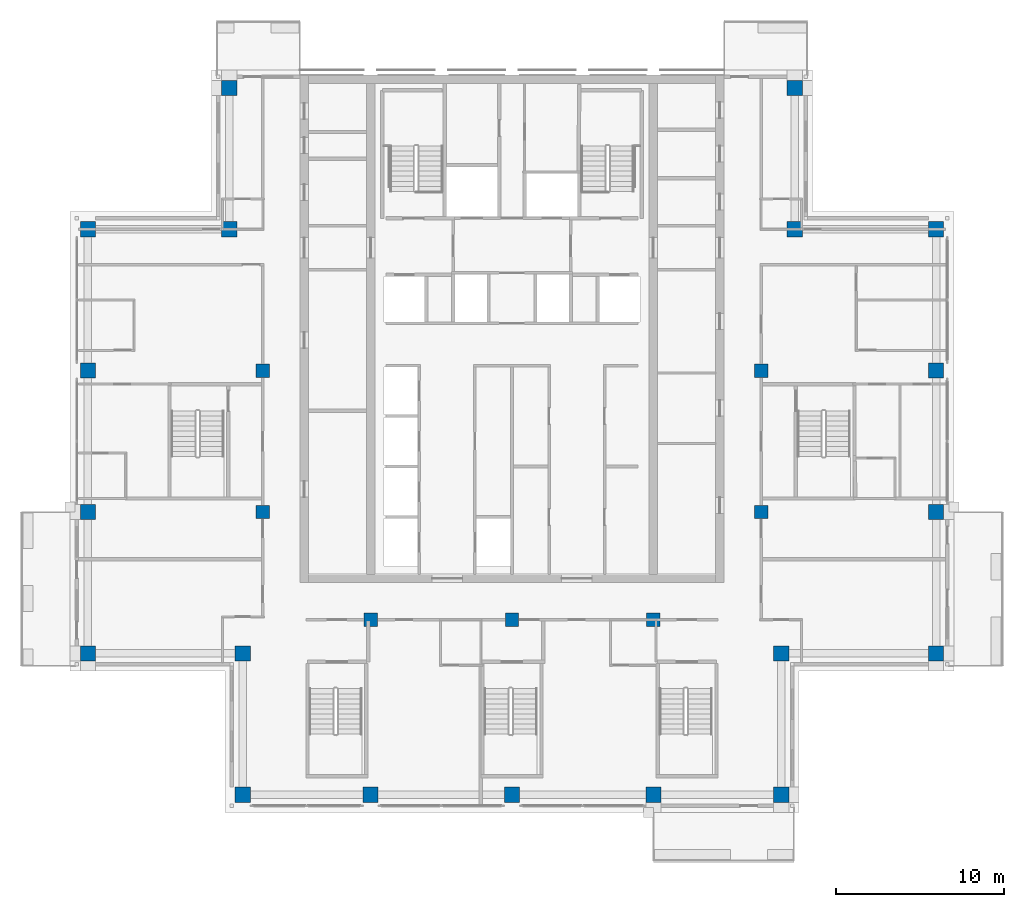
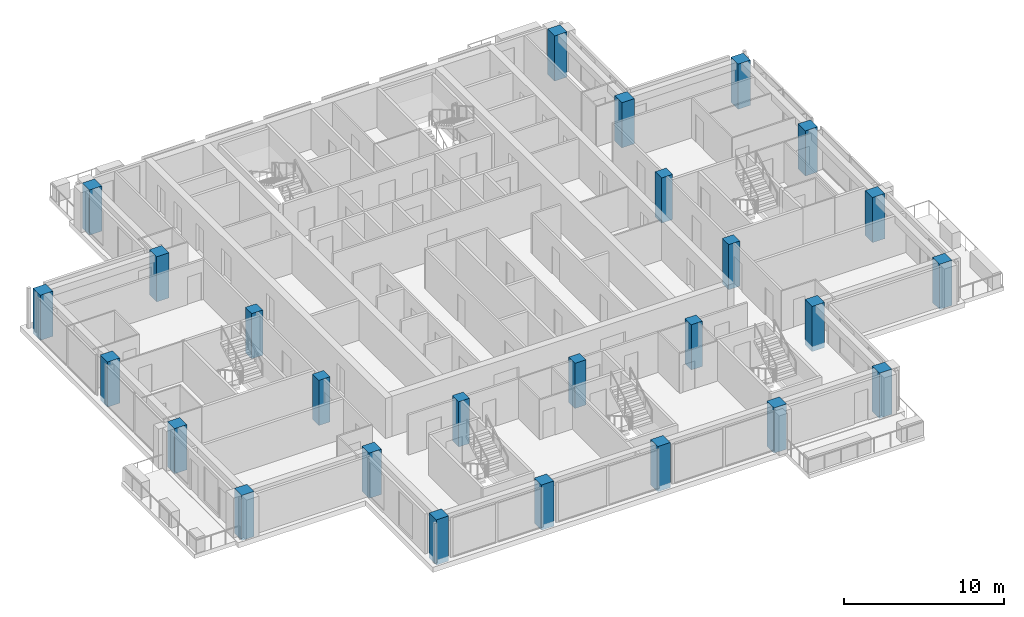
# One storey, part 1 of 19: 26 columns.
"""IFC4 building model written with IfcOpenShell, lengths in metres."""

from ifc_helpers import new_model, si_unit, direction, frame, origin, origin_2d, place, context, subcontext, project, spatial, rectangle, extrude, material, material_profile, profile_set, type_object, element, save


model = new_model("IFC4")

# Units and contexts
model_context = context("Model", 3, precision=1e-05, world=origin(), true_north=direction((0.0, 1.0)))
body_context = subcontext(model_context, "Body", "Model", "MODEL_VIEW")
ifc_project = project(units=[si_unit("LENGTHUNIT", "METRE"), si_unit("AREAUNIT", "SQUARE_METRE"), si_unit("VOLUMEUNIT", "CUBIC_METRE"), si_unit("PLANEANGLEUNIT", "RADIAN"), si_unit("MASSUNIT", "GRAM", prefix="KILO")], contexts=[model_context])

# Site, building, storey
site_placement = place(None, origin())
site = spatial("IfcSite", under=ifc_project, at=site_placement, CompositionType="ELEMENT")
building_placement = place(site_placement, origin())
building = spatial("IfcBuilding", under=site, at=building_placement, Name="Vermilion Ogive Tower", CompositionType="ELEMENT")
storey_placement = place(building_placement, frame((0.0, 0.0, 226.89990234375)))
storey = spatial("IfcBuildingStorey", under=building, at=storey_placement, Name="L59", CompositionType="ELEMENT", Elevation=226.89990234375)

# Columns
ifc_material_1 = material(Name="Concrete B60", Category="concrete")
ifc_material_profile_1 = material_profile(ifc_material_1, rectangle(XDim=0.89990234375, YDim=0.89990234375, at=origin_2d()), Name="900 x 900")
ifc_profile_set_1 = profile_set([ifc_material_profile_1], Name="Concrete B60")
column_type_1 = type_object("IfcColumnType", Name="Perimeter column 900 x 900 B60", PredefinedType="COLUMN", material=ifc_profile_set_1)
for number, where, z_axis, x_axis, name in (
    (1, (-16.0, -21.0, -0.39990234375), (0.0, 0.0, 1.0), (1.0, 0.0, 0.0), "COL-L59-P-0160-210"),
    (2, (-8.39990234375, -21.0, -0.39990234375), (0.0, 0.0, 1.0), (1.0, 0.0, 0.0), "COL-L59-P-0084-210"),
    (3, (0.0, -21.0, -0.39990234375), (0.0, 0.0, 1.0), (1.0, 0.0, 0.0), "COL-L59-P+0000-210"),
    (4, (8.39990234375, -21.0, -0.39990234375), (0.0, 0.0, 1.0), (1.0, 0.0, 0.0), "COL-L59-P+0084-210"),
    (5, (16.0, -21.0, -0.39990234375), (0.0, 0.0, 1.0), (1.0, 0.0, 0.0), "COL-L59-P+0160-210"),
    (6, (-25.199951171875, -12.60009765625, -0.39990234375), (0.0, 0.0, 1.0), (1.0, 0.0, 0.0), "COL-L59-P-0252-126"),
    (7, (-16.0, -12.60009765625, -0.39990234375), (0.0, 0.0, 1.0), (1.0, 0.0, 0.0), "COL-L59-P-0160-126"),
    (8, (16.0, -12.60009765625, -0.39990234375), (0.0, 0.0, 1.0), (1.0, 0.0, 0.0), "COL-L59-P+0160-126"),
    (9, (25.199951171875, -12.60009765625, -0.39990234375), (0.0, 0.0, 1.0), (1.0, 0.0, 0.0), "COL-L59-P+0252-126"),
    (10, (-25.199951171875, -4.199951171875, -0.39990234375), (0.0, 0.0, 1.0), (1.0, 0.0, 0.0), "COL-L59-P-0252-042"),
    (11, (25.199951171875, -4.199951171875, -0.39990234375), (0.0, 0.0, 1.0), (1.0, 0.0, 0.0), "COL-L59-P+0252-042"),
    (12, (-25.199951171875, 4.199951171875, -0.39990234375), (0.0, 0.0, 1.0), (1.0, 0.0, 0.0), "COL-L59-P-0252+042"),
    (13, (25.199951171875, 4.199951171875, -0.39990234375), (0.0, 0.0, 1.0), (1.0, 0.0, 0.0), "COL-L59-P+0252+042"),
    (14, (-25.199951171875, 12.60009765625, -0.39990234375), (0.0, 0.0, 1.0), (1.0, 0.0, 0.0), "COL-L59-P-0252+126"),
    (15, (-16.800048828125, 12.60009765625, -0.39990234375), (0.0, 0.0, 1.0), (1.0, 0.0, 0.0), "COL-L59-P-0168+126"),
    (16, (16.800048828125, 12.60009765625, -0.39990234375), (0.0, 0.0, 1.0), (1.0, 0.0, 0.0), "COL-L59-P+0168+126"),
    (17, (25.199951171875, 12.60009765625, -0.39990234375), (0.0, 0.0, 1.0), (1.0, 0.0, 0.0), "COL-L59-P+0252+126"),
    (18, (-16.800048828125, 21.0, -0.39990234375), (0.0, 0.0, 1.0), (1.0, 0.0, 0.0), "COL-L59-P-0168+210"),
    (19, (16.800048828125, 21.0, -0.39990234375), (0.0, 0.0, 1.0), (1.0, 0.0, 0.0), "COL-L59-P+0168+210"),
):
    element("IfcColumn", number, at=place(storey_placement, frame(where, z_axis=z_axis, x_axis=x_axis)), inside=storey, type_object=column_type_1, Name=name, PredefinedType="COLUMN", context=body_context, shape_type="SweptSolid", body=[
        extrude(rectangle(XDim=0.89990234375, YDim=0.89990234375, at=origin_2d()), origin(), (0.0, 0.0, 1.0), 3.449951171875),
    ])
ifc_material_2 = material(Name="Concrete B60", Category="concrete")
ifc_material_profile_2 = material_profile(ifc_material_2, rectangle(XDim=0.800048828125, YDim=0.800048828125, at=origin_2d()), Name="800 x 800")
ifc_profile_set_2 = profile_set([ifc_material_profile_2], Name="Concrete B60")
column_type_2 = type_object("IfcColumnType", Name="Ring column 800 x 800 B60", PredefinedType="COLUMN", material=ifc_profile_set_2)
for number, where, z_axis, x_axis, name in (
    (20, (-8.39990234375, -10.60009765625, -0.39990234375), (0.0, 0.0, 1.0), (1.0, 0.0, 0.0), "COL-L59-R-0084-106"),
    (21, (0.0, -10.60009765625, -0.39990234375), (0.0, 0.0, 1.0), (1.0, 0.0, 0.0), "COL-L59-R+0000-106"),
    (22, (8.39990234375, -10.60009765625, -0.39990234375), (0.0, 0.0, 1.0), (1.0, 0.0, 0.0), "COL-L59-R+0084-106"),
    (23, (-14.800048828125, -4.199951171875, -0.39990234375), (0.0, 0.0, 1.0), (1.0, 0.0, 0.0), "COL-L59-R-0148-042"),
    (24, (14.800048828125, -4.199951171875, -0.39990234375), (0.0, 0.0, 1.0), (1.0, 0.0, 0.0), "COL-L59-R+0148-042"),
    (25, (-14.800048828125, 4.199951171875, -0.39990234375), (0.0, 0.0, 1.0), (1.0, 0.0, 0.0), "COL-L59-R-0148+042"),
    (26, (14.800048828125, 4.199951171875, -0.39990234375), (0.0, 0.0, 1.0), (1.0, 0.0, 0.0), "COL-L59-R+0148+042"),
):
    element("IfcColumn", number, at=place(storey_placement, frame(where, z_axis=z_axis, x_axis=x_axis)), inside=storey, type_object=column_type_2, Name=name, PredefinedType="COLUMN", context=body_context, shape_type="SweptSolid", body=[
        extrude(rectangle(XDim=0.800048828125, YDim=0.800048828125, at=origin_2d()), origin(), (0.0, 0.0, 1.0), 3.449951171875),
    ])

save(model, "model.ifc")
